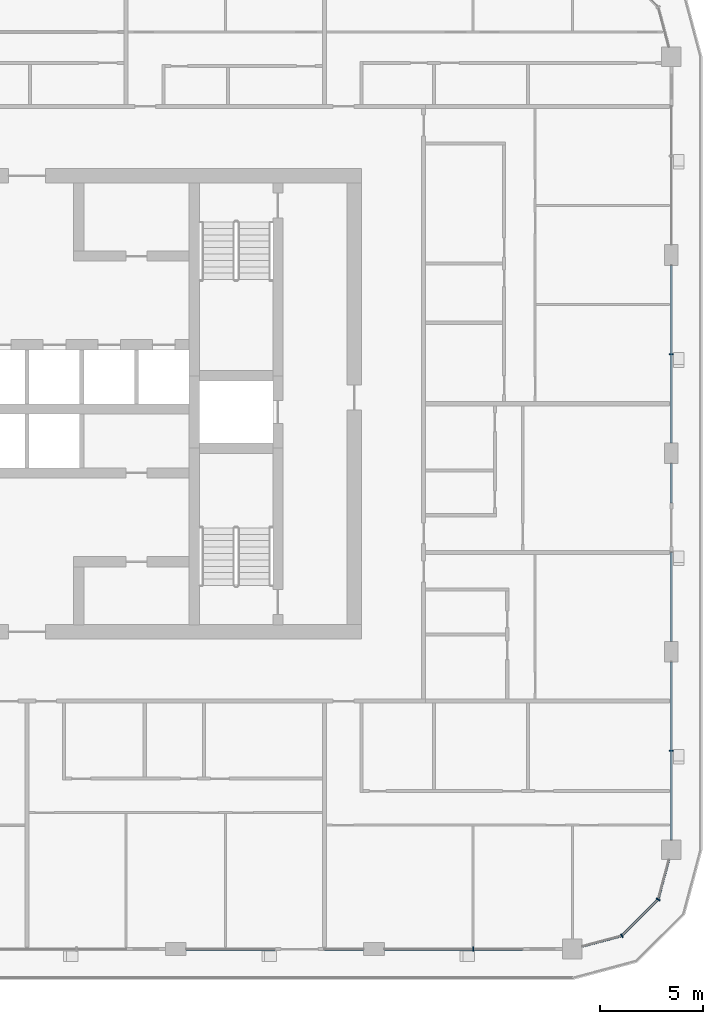
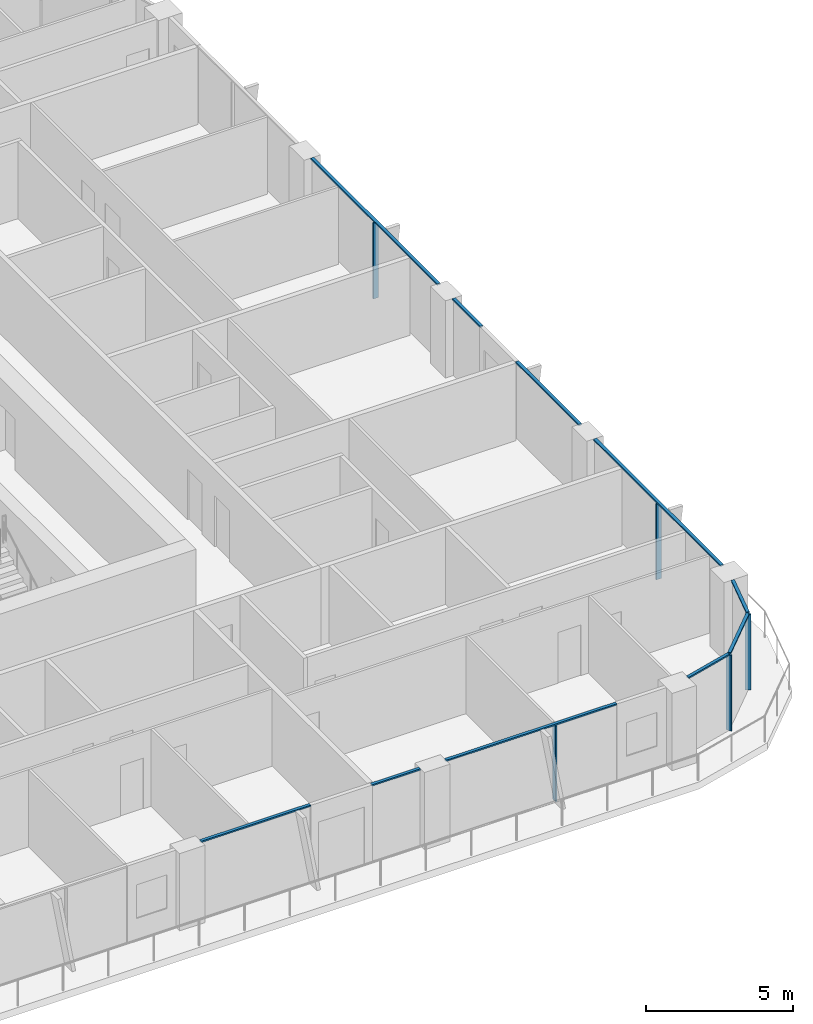
# One storey, part 4 of 21: 15 members, 6 elements without a shape of their own.
"""IFC4 building model written with IfcOpenShell, lengths in metres."""

from ifc_helpers import new_model, si_unit, direction, frame, origin, origin_2d, place, context, subcontext, project, spatial, rectangle, extrude, material, layer, layer_set, material_profile, profile_set, type_object, element, aggregate, save


model = new_model("IFC4")

# Units and contexts
model_context = context("Model", 3, precision=1e-05, world=origin(), true_north=direction((0.0, 1.0)))
body_context = subcontext(model_context, "Body", "Model", "MODEL_VIEW")
ifc_project = project(units=[si_unit("LENGTHUNIT", "METRE"), si_unit("AREAUNIT", "SQUARE_METRE"), si_unit("VOLUMEUNIT", "CUBIC_METRE"), si_unit("PLANEANGLEUNIT", "RADIAN"), si_unit("MASSUNIT", "GRAM", prefix="KILO")], contexts=[model_context])

# Site, building, storey
site_placement = place(None, origin())
site = spatial("IfcSite", under=ifc_project, at=site_placement, CompositionType="ELEMENT")
building_placement = place(site_placement, origin())
building = spatial("IfcBuilding", under=site, at=building_placement, Name="Madar Terraces", CompositionType="ELEMENT")
storey_placement = place(building_placement, frame((0.0, 0.0, 196.39990234375)))
storey = spatial("IfcBuildingStorey", under=building, at=storey_placement, Name="L51", CompositionType="ELEMENT", Elevation=196.39990234375)

# Curtain wall, member
ifc_material_1 = material(Name="Glass, ceramic frit dark grey, with black aluminium frame", Category="aluminium")
ifc_layer = layer(ifc_material_1, 0.199951171875)
ifc_layer_set = layer_set([ifc_layer], Name="Facade curtain wall, fritted glass")
curtain_wall_type = type_object("IfcCurtainWallType", Name="Facade curtain wall, fritted glass", PredefinedType="NOTDEFINED", material=ifc_layer_set)
curtain_wall_1_placement = place(storey_placement, origin())
curtain_wall_1 = element("IfcCurtainWall", 1, at=curtain_wall_1_placement, inside=storey, type_object=curtain_wall_type, Name="Outer skin curtain wall south bay 5", PredefinedType="NOTDEFINED")
ifc_material_2 = material(Name="Aluminium, black anodised", Category="aluminium")
ifc_material_profile_1 = material_profile(ifc_material_2, rectangle(XDim=0.199951171875, YDim=0.06005859375, at=origin_2d()), Name="Facade mullion 60x200")
ifc_profile_set_1 = profile_set([ifc_material_profile_1], Name="Aluminium, black anodised")
member_type_1 = type_object("IfcMemberType", Name="Facade mullion 60x200", PredefinedType="MULLION", material=ifc_profile_set_1)
member_1_placement = place(storey_placement, frame((52.800048828125, 0.0, 0.0), z_axis=(0.0, 0.0, 1.0), x_axis=(0.0, 1.0, 0.0)))
member_1 = element("IfcMember", 2, at=member_1_placement, type_object=member_type_1, Name="Mullion 1", PredefinedType="MULLION", context=body_context, shape_type="SweptSolid", body=[
    extrude(rectangle(XDim=0.199951171875, YDim=0.06005859375, at=origin_2d()), origin(), (0.0, 0.0, 1.0), 3.14013671875),
])

curtain_wall_2_placement = place(storey_placement, origin())
curtain_wall_2 = element("IfcCurtainWall", 3, at=curtain_wall_2_placement, inside=storey, type_object=curtain_wall_type, Name="Outer skin curtain wall east bay 1", PredefinedType="NOTDEFINED")
member_2_placement = place(storey_placement, frame((62.39990234375, 9.60009765625, 0.0), z_axis=(0.0, 0.0, 1.0), x_axis=(-1.0, 0.0, 0.0)))
member_2 = element("IfcMember", 4, at=member_2_placement, type_object=member_type_1, Name="Mullion 1", PredefinedType="MULLION", context=body_context, shape_type="SweptSolid", body=[
    extrude(rectangle(XDim=0.199951171875, YDim=0.06005859375, at=origin_2d()), origin(), (0.0, 0.0, 1.0), 3.14013671875),
])

curtain_wall_3_placement = place(storey_placement, origin())
curtain_wall_3 = element("IfcCurtainWall", 5, at=curtain_wall_3_placement, inside=storey, type_object=curtain_wall_type, Name="Outer skin curtain wall east bay 3", PredefinedType="NOTDEFINED")
member_3_placement = place(storey_placement, frame((62.39990234375, 28.800048828125, 0.0), z_axis=(0.0, 0.0, 1.0), x_axis=(-1.0, 0.0, 0.0)))
member_3 = element("IfcMember", 6, at=member_3_placement, type_object=member_type_1, Name="Mullion 1", PredefinedType="MULLION", context=body_context, shape_type="SweptSolid", body=[
    extrude(rectangle(XDim=0.199951171875, YDim=0.06005859375, at=origin_2d()), origin(), (0.0, 0.0, 1.0), 3.14013671875),
])

# Curtain wall, members
curtain_wall_4_placement = place(storey_placement, origin())
curtain_wall_4 = element("IfcCurtainWall", 7, at=curtain_wall_4_placement, inside=storey, type_object=curtain_wall_type, Name="Outer skin curtain wall south-east corner", PredefinedType="NOTDEFINED")
member_4_placement = place(storey_placement, frame((60.0, 0.64306640625, 0.0), z_axis=(0.0, 0.0, 1.0), x_axis=(-0.499999989586, 0.866025409797, 0.0)))
member_4 = element("IfcMember", 8, at=member_4_placement, type_object=member_type_1, Name="Mullion 1", PredefinedType="MULLION", context=body_context, shape_type="SweptSolid", body=[
    extrude(rectangle(XDim=0.199951171875, YDim=0.06005859375, at=origin_2d()), origin(), (0.0, 0.0, 1.0), 3.14013671875),
])
member_5_placement = place(storey_placement, frame((61.7568359375, 2.39990234375, 0.0), z_axis=(0.0, 0.0, 1.0), x_axis=(-0.866025409797, 0.499999989586, 0.0)))
member_5 = element("IfcMember", 9, at=member_5_placement, type_object=member_type_1, Name="Mullion 2", PredefinedType="MULLION", context=body_context, shape_type="SweptSolid", body=[
    extrude(rectangle(XDim=0.199951171875, YDim=0.06005859375, at=origin_2d()), origin(), (0.0, 0.0, 1.0), 3.14013671875),
])

curtain_wall_5_placement = place(storey_placement, origin())
curtain_wall_5 = element("IfcCurtainWall", 10, at=curtain_wall_5_placement, inside=storey, type_object=curtain_wall_type, Name="Outer skin curtain wall south bay 4", PredefinedType="NOTDEFINED")
ifc_material_3 = material(Name="Aluminium, black anodised", Category="aluminium")
ifc_material_profile_2 = material_profile(ifc_material_3, rectangle(XDim=0.1201171875, YDim=0.06005859375, at=origin_2d()), Name="Facade transom 60x120")
ifc_profile_set_2 = profile_set([ifc_material_profile_2], Name="Aluminium, black anodised")
member_type_2 = type_object("IfcMemberType", Name="Facade transom 60x120", PredefinedType="USERDEFINED", material=ifc_profile_set_2)
member_6_placement = place(storey_placement, frame((38.89990234375, 0.0, 3.170166015625), z_axis=(1.0, 0.0, 0.0), x_axis=(0.0, 1.0, 0.0)))
member_6 = element("IfcMember", 11, at=member_6_placement, type_object=member_type_2, Name="Transom 1", ObjectType="TRANSOM", PredefinedType="USERDEFINED", context=body_context, shape_type="SweptSolid", body=[
    extrude(rectangle(XDim=0.1201171875, YDim=0.06005859375, at=origin_2d()), origin(), (0.0, 0.0, 1.0), 4.300048828125),
])
member_7_placement = place(storey_placement, frame((45.60009765625, 0.0, 3.170166015625), z_axis=(1.0, 0.0, 0.0), x_axis=(0.0, 1.0, 0.0)))
member_7 = element("IfcMember", 12, at=member_7_placement, type_object=member_type_2, Name="Transom 2", ObjectType="TRANSOM", PredefinedType="USERDEFINED", context=body_context, shape_type="SweptSolid", body=[
    extrude(rectangle(XDim=0.1201171875, YDim=0.06005859375, at=origin_2d()), origin(), (0.0, 0.0, 1.0), 1.89990234375),
])
aggregate(curtain_wall_5, [member_6, member_7])

# Member
member_8_placement = place(storey_placement, frame((48.5, 0.0, 3.170166015625), z_axis=(1.0, 0.0, 0.0), x_axis=(0.0, 1.0, 0.0)))
member_8 = element("IfcMember", 13, at=member_8_placement, type_object=member_type_2, Name="Transom 1", ObjectType="TRANSOM", PredefinedType="USERDEFINED", context=body_context, shape_type="SweptSolid", body=[
    extrude(rectangle(XDim=0.1201171875, YDim=0.06005859375, at=origin_2d()), origin(), (0.0, 0.0, 1.0), 6.699951171875),
])

aggregate(curtain_wall_1, [member_1, member_8])

member_9_placement = place(storey_placement, frame((62.39990234375, 5.27490234375, 3.170166015625), z_axis=(0.0, 1.0, 0.0), x_axis=(-1.0, 0.0, 0.0)))
member_9 = element("IfcMember", 14, at=member_9_placement, type_object=member_type_2, Name="Transom 1", ObjectType="TRANSOM", PredefinedType="USERDEFINED", context=body_context, shape_type="SweptSolid", body=[
    extrude(rectangle(XDim=0.1201171875, YDim=0.06005859375, at=origin_2d()), origin(), (0.0, 0.0, 1.0), 8.625),
])

aggregate(curtain_wall_2, [member_2, member_9])

# Curtain wall, members
curtain_wall_6_placement = place(storey_placement, origin())
curtain_wall_6 = element("IfcCurtainWall", 15, at=curtain_wall_6_placement, inside=storey, type_object=curtain_wall_type, Name="Outer skin curtain wall east bay 2", PredefinedType="NOTDEFINED")
member_10_placement = place(storey_placement, frame((62.39990234375, 14.89990234375, 3.170166015625), z_axis=(0.0, 1.0, 0.0), x_axis=(-1.0, 0.0, 0.0)))
member_10 = element("IfcMember", 16, at=member_10_placement, type_object=member_type_2, Name="Transom 1", ObjectType="TRANSOM", PredefinedType="USERDEFINED", context=body_context, shape_type="SweptSolid", body=[
    extrude(rectangle(XDim=0.1201171875, YDim=0.06005859375, at=origin_2d()), origin(), (0.0, 0.0, 1.0), 4.300048828125),
])
member_11_placement = place(storey_placement, frame((62.39990234375, 21.60009765625, 3.170166015625), z_axis=(0.0, 1.0, 0.0), x_axis=(-1.0, 0.0, 0.0)))
member_11 = element("IfcMember", 17, at=member_11_placement, type_object=member_type_2, Name="Transom 2", ObjectType="TRANSOM", PredefinedType="USERDEFINED", context=body_context, shape_type="SweptSolid", body=[
    extrude(rectangle(XDim=0.1201171875, YDim=0.06005859375, at=origin_2d()), origin(), (0.0, 0.0, 1.0), 1.89990234375),
])
aggregate(curtain_wall_6, [member_10, member_11])

# Member
member_12_placement = place(storey_placement, frame((62.39990234375, 24.5, 3.170166015625), z_axis=(0.0, 1.0, 0.0), x_axis=(-1.0, 0.0, 0.0)))
member_12 = element("IfcMember", 18, at=member_12_placement, type_object=member_type_2, Name="Transom 1", ObjectType="TRANSOM", PredefinedType="USERDEFINED", context=body_context, shape_type="SweptSolid", body=[
    extrude(rectangle(XDim=0.1201171875, YDim=0.06005859375, at=origin_2d()), origin(), (0.0, 0.0, 1.0), 8.60009765625),
])

aggregate(curtain_wall_3, [member_3, member_12])

member_13_placement = place(storey_placement, frame((58.074951171875, 0.127197265625, 3.170166015625), z_axis=(0.96592251241, 0.258831412352, 0.0), x_axis=(-0.258831412352, 0.96592251241, 0.0)))
member_13 = element("IfcMember", 19, at=member_13_placement, type_object=member_type_2, Name="Transom 1", ObjectType="TRANSOM", PredefinedType="USERDEFINED", context=body_context, shape_type="SweptSolid", body=[
    extrude(rectangle(XDim=0.1201171875, YDim=0.06005859375, at=origin_2d()), origin(), (0.0, 0.0, 1.0), 1.962890625),
])

member_14_placement = place(storey_placement, frame((60.021240234375, 0.664306640625, 3.170166015625), z_axis=(0.707056433593, 0.707157125196, 0.0), x_axis=(-0.707157125196, 0.707056433593, 0.0)))
member_14 = element("IfcMember", 20, at=member_14_placement, type_object=member_type_2, Name="Transom 2", ObjectType="TRANSOM", PredefinedType="USERDEFINED", context=body_context, shape_type="SweptSolid", body=[
    extrude(rectangle(XDim=0.1201171875, YDim=0.06005859375, at=origin_2d()), origin(), (0.0, 0.0, 1.0), 2.424560546875),
])

member_15_placement = place(storey_placement, frame((61.7646484375, 2.428955078125, 3.170166015625), z_axis=(0.258831412352, 0.96592251241, 0.0), x_axis=(-0.96592251241, 0.258831412352, 0.0)))
member_15 = element("IfcMember", 21, at=member_15_placement, type_object=member_type_2, Name="Transom 3", ObjectType="TRANSOM", PredefinedType="USERDEFINED", context=body_context, shape_type="SweptSolid", body=[
    extrude(rectangle(XDim=0.1201171875, YDim=0.06005859375, at=origin_2d()), origin(), (0.0, 0.0, 1.0), 1.962890625),
])

aggregate(curtain_wall_4, [member_4, member_13, member_5, member_14, member_15])

save(model, "model.ifc")
